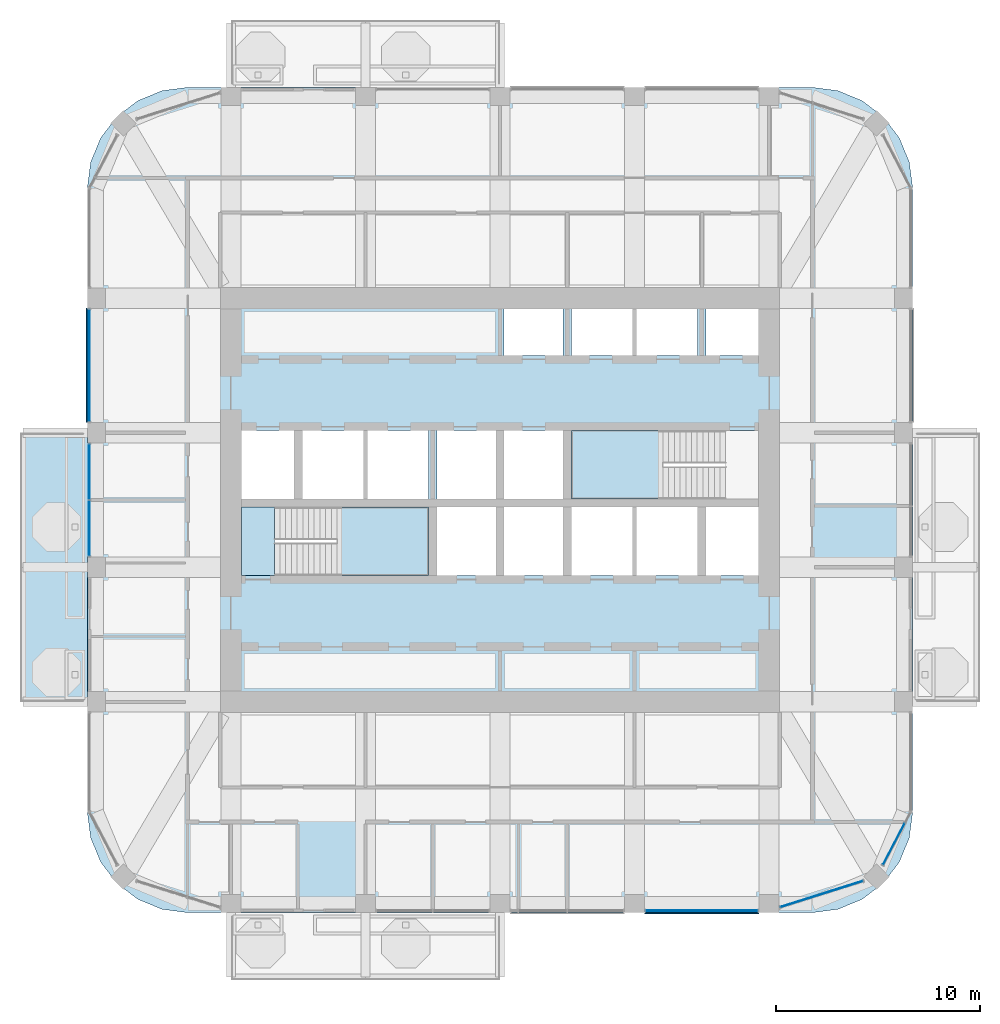
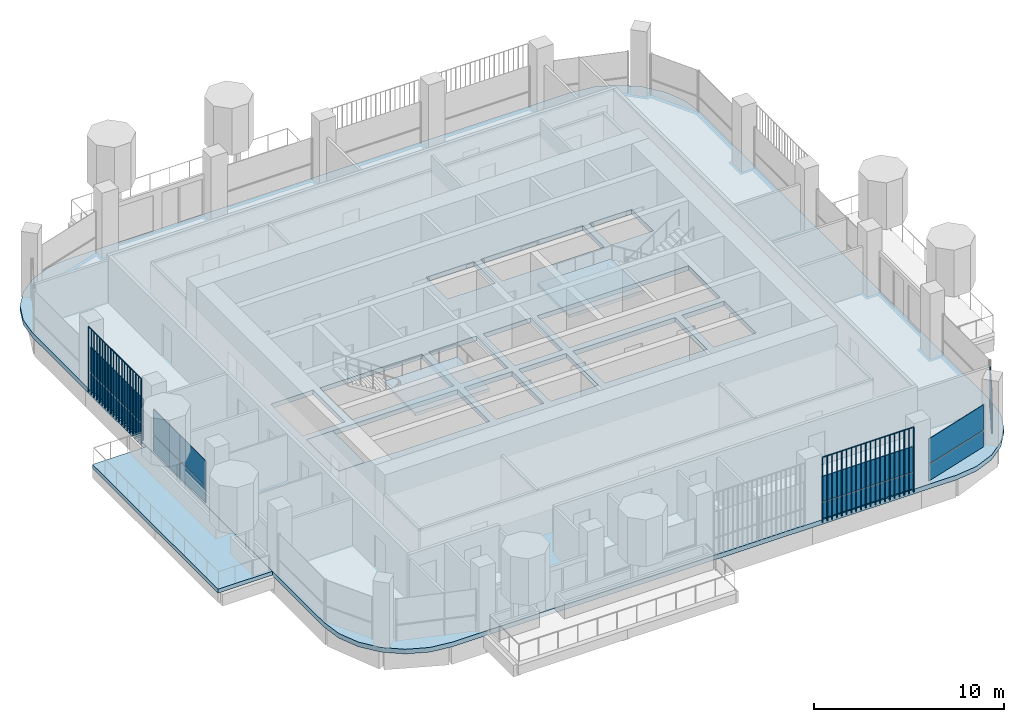
# One storey, part 9 of 19: 14 plates, 5 slabs, 7 elements without a shape of their own.
"""IFC4 building model written with IfcOpenShell, lengths in metres."""

from ifc_helpers import new_model, si_unit, direction, frame, origin, origin_2d, place, context, subcontext, project, spatial, polyline, rectangle, outline, extrude, material, layer, layer_set, type_object, element, aggregate, save


model = new_model("IFC4")

# Units and contexts
model_context = context("Model", 3, precision=1e-05, world=origin(), true_north=direction((0.0, 1.0)))
body_context = subcontext(model_context, "Body", "Model", "MODEL_VIEW")
ifc_project = project(units=[si_unit("LENGTHUNIT", "METRE"), si_unit("AREAUNIT", "SQUARE_METRE"), si_unit("VOLUMEUNIT", "CUBIC_METRE"), si_unit("PLANEANGLEUNIT", "RADIAN"), si_unit("MASSUNIT", "GRAM", prefix="KILO")], contexts=[model_context])

# Site, building, storey
site_placement = place(None, origin())
site = spatial("IfcSite", under=ifc_project, at=site_placement, CompositionType="ELEMENT")
building_placement = place(site_placement, origin())
building = spatial("IfcBuilding", under=site, at=building_placement, Name="Cobogo Forest Laboratory Tower", CompositionType="ELEMENT")
storey_placement = place(building_placement, frame((0.0, 0.0, 262.800048828125)))
storey = spatial("IfcBuildingStorey", under=building, at=storey_placement, Name="L60", CompositionType="ELEMENT", Elevation=262.800048828125)

# Slabs
ifc_material_1 = material(Name="Concrete HA-40 (C40/50)", Category="concrete")
ifc_layer_1 = layer(ifc_material_1, 0.25)
ifc_layer_set_1 = layer_set([ifc_layer_1], Name="Balcony slab 250")
slab_type_1 = type_object("IfcSlabType", Name="Balcony slab 250", PredefinedType="FLOOR", material=ifc_layer_set_1)
slab_1_placement = place(storey_placement, frame((0.0, 0.0, -0.25)))
element("IfcSlab", 1, at=slab_1_placement, inside=storey, type_object=slab_type_1, Name="Balcony BAL-W1 L60", PredefinedType="FLOOR", context=body_context, shape_type="SweptSolid", body=[
    extrude(outline(polyline([(2.85009765625, 13.199951171875), (6.14990234375, 13.199951171875), (6.14990234375, 26.39990234375), (2.85009765625, 26.39990234375), (2.85009765625, 13.199951171875)])), origin(), (0.0, 0.0, 1.0), 0.25),
])
ifc_layer_2 = layer(ifc_material_1, 0.300048828125)
ifc_layer_set_2 = layer_set([ifc_layer_2], Name="Floor slab 300")
slab_type_2 = type_object("IfcSlabType", Name="Floor slab 300", PredefinedType="FLOOR", material=ifc_layer_set_2)
slab_2_placement = place(storey_placement, frame((0.0, 0.0, -0.300048828125)))
element("IfcSlab", 2, at=slab_2_placement, inside=storey, type_object=slab_type_2, Name="L60 floor slab", PredefinedType="FLOOR", context=body_context, shape_type="SweptSolid", body=[
    extrude(outline(polyline([(41.699951171875, 2.85009765625), (42.981201171875, 3.0185546875), (44.175048828125, 3.51318359375), (45.2001953125, 4.2998046875), (45.98681640625, 5.324951171875), (46.4814453125, 6.518798828125), (46.64990234375, 7.800048828125), (46.64990234375, 38.39990234375), (46.4814453125, 39.68115234375), (45.98681640625, 40.875), (45.2001953125, 41.900146484375), (44.175048828125, 42.686767578125), (42.981201171875, 43.181396484375), (41.699951171875, 43.35009765625), (11.10009765625, 43.35009765625), (9.81884765625, 43.181396484375), (8.625, 42.686767578125), (7.599853515625, 41.900146484375), (6.813232421875, 40.875), (6.318603515625, 39.68115234375), (6.14990234375, 38.39990234375), (6.14990234375, 7.800048828125), (6.318603515625, 6.518798828125), (6.813232421875, 5.324951171875), (7.599853515625, 4.2998046875), (8.625, 3.51318359375), (9.81884765625, 3.0185546875), (11.10009765625, 2.85009765625), (41.699951171875, 2.85009765625)]), holes=[polyline([(22.89990234375, 19.39990234375), (13.72509765625, 19.39990234375), (13.72509765625, 22.75), (22.89990234375, 22.75), (22.89990234375, 19.39990234375)]), polyline([(26.199951171875, 19.39990234375), (23.300048828125, 19.39990234375), (23.300048828125, 22.75), (26.199951171875, 22.75), (26.199951171875, 19.39990234375)]), polyline([(29.5, 19.39990234375), (26.60009765625, 19.39990234375), (26.60009765625, 22.75), (29.5, 22.75), (29.5, 19.39990234375)]), polyline([(36.10009765625, 22.75), (36.10009765625, 19.39990234375), (29.89990234375, 19.39990234375), (29.89990234375, 22.75), (36.10009765625, 22.75)]), polyline([(39.074951171875, 19.39990234375), (36.5, 19.39990234375), (36.5, 22.75), (39.074951171875, 22.75), (39.074951171875, 19.39990234375)]), polyline([(16.300048828125, 23.14990234375), (13.72509765625, 23.14990234375), (13.72509765625, 26.5), (16.300048828125, 26.5), (16.300048828125, 23.14990234375)]), polyline([(22.89990234375, 26.5), (22.89990234375, 23.14990234375), (16.699951171875, 23.14990234375), (16.699951171875, 26.5), (22.89990234375, 26.5)]), polyline([(26.199951171875, 23.14990234375), (23.300048828125, 23.14990234375), (23.300048828125, 26.5), (26.199951171875, 26.5), (26.199951171875, 23.14990234375)]), polyline([(29.5, 23.14990234375), (26.60009765625, 23.14990234375), (26.60009765625, 26.5), (29.5, 26.5), (29.5, 23.14990234375)]), polyline([(39.074951171875, 23.14990234375), (29.89990234375, 23.14990234375), (29.89990234375, 26.5), (39.074951171875, 26.5), (39.074951171875, 23.14990234375)]), polyline([(29.5, 30.199951171875), (26.60009765625, 30.199951171875), (26.60009765625, 32.47509765625), (29.5, 32.47509765625), (29.5, 30.199951171875)]), polyline([(36.10009765625, 32.47509765625), (36.10009765625, 30.199951171875), (29.89990234375, 30.199951171875), (29.89990234375, 32.47509765625), (36.10009765625, 32.47509765625)]), polyline([(39.074951171875, 30.199951171875), (36.5, 30.199951171875), (36.5, 32.47509765625), (39.074951171875, 32.47509765625), (39.074951171875, 30.199951171875)])]), origin(), (0.0, 0.0, 1.0), 0.300048828125),
])

# Curtain wall, plates
ifc_material_2 = material(Name="Aluminium curtain wall", Category="aluminium")
curtain_wall_type = type_object("IfcCurtainWallType", Name="CW-2 unitised curtain wall, solar control glazing, laboratory floors zones C and D", PredefinedType="USERDEFINED", material=ifc_material_2)
curtain_wall_1_placement = place(storey_placement, origin())
curtain_wall_1 = element("IfcCurtainWall", 3, at=curtain_wall_1_placement, inside=storey, type_object=curtain_wall_type, Name="Curtain wall 04 L60", ObjectType="UNITISED CURTAIN WALL", PredefinedType="USERDEFINED")
ifc_material_3 = material(Name="Solar control insulated glass", Category="glass")
ifc_layer_3 = layer(ifc_material_3, 0.031982421875)
ifc_layer_set_3 = layer_set([ifc_layer_3], Name="GP-2 solar control glass unit 32")
plate_type_1 = type_object("IfcPlateType", Name="GP-2 solar control glass unit 32", PredefinedType="CURTAIN_PANEL", material=ifc_layer_set_3)
plate_1_placement = place(storey_placement, frame((36.300048828125, 2.949951171875, 0.0), z_axis=(0.0, 0.0, 1.0), x_axis=(1.0, 0.0, 0.0)))
plate_1 = element("IfcPlate", 4, at=plate_1_placement, type_object=plate_type_1, Name="CW-2 panel 1.1", PredefinedType="CURTAIN_PANEL", context=body_context, shape_type="SweptSolid", body=[
    extrude(rectangle(XDim=5.47998046875, YDim=0.031982421875, at=origin_2d()), origin(), (0.0, 0.0, 1.0), 1.02001953125),
])
plate_2_placement = place(storey_placement, frame((36.300048828125, 2.949951171875, 1.079833984375), z_axis=(0.0, 0.0, 1.0), x_axis=(1.0, 0.0, 0.0)))
plate_2 = element("IfcPlate", 5, at=plate_2_placement, type_object=plate_type_1, Name="CW-2 panel 1.2", PredefinedType="CURTAIN_PANEL", context=body_context, shape_type="SweptSolid", body=[
    extrude(rectangle(XDim=5.47998046875, YDim=0.031982421875, at=origin_2d()), origin(), (0.0, 0.0, 1.0), 1.6201171875),
])
aggregate(curtain_wall_1, [plate_1, plate_2])

curtain_wall_2_placement = place(storey_placement, origin())
curtain_wall_2 = element("IfcCurtainWall", 6, at=curtain_wall_2_placement, inside=storey, type_object=curtain_wall_type, Name="Curtain wall 05 L60", ObjectType="UNITISED CURTAIN WALL", PredefinedType="USERDEFINED")
plate_3_placement = place(storey_placement, frame((42.17919921875, 3.7646484375, 0.0), z_axis=(0.0, 0.0, 1.0), x_axis=(0.953581379409, 0.301135439371, 0.0)))
plate_3 = element("IfcPlate", 7, at=plate_3_placement, type_object=plate_type_1, Name="CW-2 panel 1.1", PredefinedType="CURTAIN_PANEL", context=body_context, shape_type="SweptSolid", body=[
    extrude(rectangle(XDim=4.240966796875, YDim=0.031982421875, at=origin_2d()), origin(), (0.0, 0.0, 1.0), 1.02001953125),
])
plate_4_placement = place(storey_placement, frame((42.17919921875, 3.7646484375, 1.079833984375), z_axis=(0.0, 0.0, 1.0), x_axis=(0.953581379409, 0.301135439371, 0.0)))
plate_4 = element("IfcPlate", 8, at=plate_4_placement, type_object=plate_type_1, Name="CW-2 panel 1.2", PredefinedType="CURTAIN_PANEL", context=body_context, shape_type="SweptSolid", body=[
    extrude(rectangle(XDim=4.240966796875, YDim=0.031982421875, at=origin_2d()), origin(), (0.0, 0.0, 1.0), 1.6201171875),
])
aggregate(curtain_wall_2, [plate_3, plate_4])

curtain_wall_3_placement = place(storey_placement, origin())
curtain_wall_3 = element("IfcCurtainWall", 9, at=curtain_wall_3_placement, inside=storey, type_object=curtain_wall_type, Name="Curtain wall 06 L60", ObjectType="UNITISED CURTAIN WALL", PredefinedType="USERDEFINED")
plate_5_placement = place(storey_placement, frame((45.72314453125, 6.222900390625, 0.0), z_axis=(0.0, 0.0, 1.0), x_axis=(0.464283778337, 0.885686498245, 0.0)))
plate_5 = element("IfcPlate", 10, at=plate_5_placement, type_object=plate_type_1, Name="CW-2 panel 1.1", PredefinedType="CURTAIN_PANEL", context=body_context, shape_type="SweptSolid", body=[
    extrude(rectangle(XDim=2.28857421875, YDim=0.031982421875, at=origin_2d()), origin(), (0.0, 0.0, 1.0), 1.02001953125),
])
plate_6_placement = place(storey_placement, frame((45.72314453125, 6.222900390625, 1.079833984375), z_axis=(0.0, 0.0, 1.0), x_axis=(0.464283778337, 0.885686498245, 0.0)))
plate_6 = element("IfcPlate", 11, at=plate_6_placement, type_object=plate_type_1, Name="CW-2 panel 1.2", PredefinedType="CURTAIN_PANEL", context=body_context, shape_type="SweptSolid", body=[
    extrude(rectangle(XDim=2.28857421875, YDim=0.031982421875, at=origin_2d()), origin(), (0.0, 0.0, 1.0), 1.6201171875),
])
aggregate(curtain_wall_3, [plate_5, plate_6])

curtain_wall_4_placement = place(storey_placement, origin())
curtain_wall_4 = element("IfcCurtainWall", 12, at=curtain_wall_4_placement, inside=storey, type_object=curtain_wall_type, Name="Curtain wall 21 L60", ObjectType="UNITISED CURTAIN WALL", PredefinedType="USERDEFINED")
plate_7_placement = place(storey_placement, frame((6.25, 29.699951171875, 0.0), z_axis=(0.0, 0.0, 1.0), x_axis=(0.0, -1.0, 0.0)))
plate_7 = element("IfcPlate", 13, at=plate_7_placement, type_object=plate_type_1, Name="CW-2 panel 1.1", PredefinedType="CURTAIN_PANEL", context=body_context, shape_type="SweptSolid", body=[
    extrude(rectangle(XDim=5.47998046875, YDim=0.031982421875, at=origin_2d()), origin(), (0.0, 0.0, 1.0), 1.02001953125),
])
plate_8_placement = place(storey_placement, frame((6.25, 29.699951171875, 1.079833984375), z_axis=(0.0, 0.0, 1.0), x_axis=(0.0, -1.0, 0.0)))
plate_8 = element("IfcPlate", 14, at=plate_8_placement, type_object=plate_type_1, Name="CW-2 panel 1.2", PredefinedType="CURTAIN_PANEL", context=body_context, shape_type="SweptSolid", body=[
    extrude(rectangle(XDim=5.47998046875, YDim=0.031982421875, at=origin_2d()), origin(), (0.0, 0.0, 1.0), 1.6201171875),
])
aggregate(curtain_wall_4, [plate_7, plate_8])

curtain_wall_5_placement = place(storey_placement, origin())
curtain_wall_5 = element("IfcCurtainWall", 15, at=curtain_wall_5_placement, inside=storey, type_object=curtain_wall_type, Name="Curtain wall 22 L60", ObjectType="UNITISED CURTAIN WALL", PredefinedType="USERDEFINED")
plate_9_placement = place(storey_placement, frame((6.25, 24.485107421875, 0.0), z_axis=(0.0, 0.0, 1.0), x_axis=(0.0, -1.0, 0.0)))
plate_9 = element("IfcPlate", 16, at=plate_9_placement, type_object=plate_type_1, Name="CW-2 panel 1.1", PredefinedType="CURTAIN_PANEL", context=body_context, shape_type="SweptSolid", body=[
    extrude(rectangle(XDim=2.7099609375, YDim=0.031982421875, at=origin_2d()), origin(), (0.0, 0.0, 1.0), 1.02001953125),
])
plate_10_placement = place(storey_placement, frame((6.25, 24.485107421875, 1.079833984375), z_axis=(0.0, 0.0, 1.0), x_axis=(0.0, -1.0, 0.0)))
plate_10 = element("IfcPlate", 17, at=plate_10_placement, type_object=plate_type_1, Name="CW-2 panel 1.2", PredefinedType="CURTAIN_PANEL", context=body_context, shape_type="SweptSolid", body=[
    extrude(rectangle(XDim=2.7099609375, YDim=0.031982421875, at=origin_2d()), origin(), (0.0, 0.0, 1.0), 1.6201171875),
])
plate_11_placement = place(storey_placement, frame((6.25, 21.715087890625, 0.0), z_axis=(0.0, 0.0, 1.0), x_axis=(0.0, -1.0, 0.0)))
plate_11 = element("IfcPlate", 18, at=plate_11_placement, type_object=plate_type_1, Name="CW-2 panel 2.1", PredefinedType="CURTAIN_PANEL", context=body_context, shape_type="SweptSolid", body=[
    extrude(rectangle(XDim=2.7099609375, YDim=0.031982421875, at=origin_2d()), origin(), (0.0, 0.0, 1.0), 1.02001953125),
])
plate_12_placement = place(storey_placement, frame((6.25, 21.715087890625, 1.079833984375), z_axis=(0.0, 0.0, 1.0), x_axis=(0.0, -1.0, 0.0)))
plate_12 = element("IfcPlate", 19, at=plate_12_placement, type_object=plate_type_1, Name="CW-2 panel 2.2", PredefinedType="CURTAIN_PANEL", context=body_context, shape_type="SweptSolid", body=[
    extrude(rectangle(XDim=2.7099609375, YDim=0.031982421875, at=origin_2d()), origin(), (0.0, 0.0, 1.0), 1.6201171875),
])
aggregate(curtain_wall_5, [plate_9, plate_10, plate_11, plate_12])

# Stair, slabs
ifc_material_4 = material(Name="Precast concrete HA-40 (C40/50)", Category="concrete")
stair_type = type_object("IfcStairType", Name="ST24 exit stair 24 risers", PredefinedType="HALF_TURN_STAIR", material=ifc_material_4)
stair_1_placement = place(storey_placement, origin())
stair_1 = element("IfcStair", 20, at=stair_1_placement, inside=storey, type_object=stair_type, Name="Stair 1 L60 to L61", PredefinedType="HALF_TURN_STAIR")
ifc_layer_4 = layer(ifc_material_1, 0.199951171875)
ifc_layer_set_4 = layer_set([ifc_layer_4], Name="SL stair landing 200")
slab_type_3 = type_object("IfcSlabType", Name="SL stair landing 200", PredefinedType="LANDING", material=ifc_layer_set_4)
slab_3_placement = place(storey_placement, frame((0.0, 0.0, -0.199951171875)))
slab_3 = element("IfcSlab", 21, at=slab_3_placement, type_object=slab_type_3, Name="ST1 landing 1", PredefinedType="LANDING", context=body_context, shape_type="SweptSolid", body=[
    extrude(outline(polyline([(13.72509765625, 19.39990234375), (15.326904296875, 19.39990234375), (15.326904296875, 22.75), (13.72509765625, 22.75), (13.72509765625, 19.39990234375)])), origin(), (0.0, 0.0, 1.0), 0.199951171875),
])
slab_4_placement = place(storey_placement, frame((0.0, 0.0, 1.89990234375)))
slab_4 = element("IfcSlab", 22, at=slab_4_placement, type_object=slab_type_3, Name="ST1 landing 2", PredefinedType="LANDING", context=body_context, shape_type="SweptSolid", body=[
    extrude(outline(polyline([(18.403076171875, 19.39990234375), (22.89990234375, 19.39990234375), (22.89990234375, 22.75), (18.403076171875, 22.75), (18.403076171875, 19.39990234375)])), origin(), (0.0, 0.0, 1.0), 0.199951171875),
])
aggregate(stair_1, [slab_3, slab_4])

# Stair, slab
stair_2_placement = place(storey_placement, origin())
stair_2 = element("IfcStair", 23, at=stair_2_placement, inside=storey, type_object=stair_type, Name="Stair 2 L60 to L61", PredefinedType="HALF_TURN_STAIR")
slab_5_placement = place(storey_placement, frame((0.0, 0.0, 1.89990234375)))
slab_5 = element("IfcSlab", 24, at=slab_5_placement, type_object=slab_type_3, Name="ST2 landing 2", PredefinedType="LANDING", context=body_context, shape_type="SweptSolid", body=[
    extrude(outline(polyline([(29.89990234375, 23.14990234375), (34.39697265625, 23.14990234375), (34.39697265625, 26.5), (29.89990234375, 26.5), (29.89990234375, 23.14990234375)])), origin(), (0.0, 0.0, 1.0), 0.199951171875),
])
aggregate(stair_2, [slab_5])

# Plates
ifc_material_5 = material(Name="Terracotta", Category="masonry")
plate_type_2 = type_object("IfcPlateType", Name="TB1 terracotta baguette screen", PredefinedType="USERDEFINED", material=ifc_material_5)
plate_13_placement = place(storey_placement, frame((33.53125, 2.822021484375, -0.150146484375)))
element("IfcPlate", 25, at=plate_13_placement, inside=storey, type_object=plate_type_2, Name="Baguette screen S4 L60", ObjectType="BAGUETTE SCREEN", PredefinedType="USERDEFINED", context=body_context, shape_type="SweptSolid", body=[
    extrude(outline(polyline([(0.02880859375, 0.011962890625), (0.011962890625, 0.02880859375), (-0.011962890625, 0.02880859375), (-0.02880859375, 0.011962890625), (-0.02880859375, -0.011962890625), (-0.011962890625, -0.02880859375), (0.011962890625, -0.02880859375), (0.02880859375, -0.011962890625), (0.02880859375, 0.011962890625)])), frame((0.0, 0.0, 4.168701171875), z_axis=(1.0, 0.0, 0.0), x_axis=(0.0, 1.0, 0.0)), (0.0, 0.0, 1.0), 5.53759765625),
    extrude(outline(polyline([(0.02880859375, 0.011962890625), (0.011962890625, 0.02880859375), (-0.011962890625, 0.02880859375), (-0.02880859375, 0.011962890625), (-0.02880859375, -0.011962890625), (-0.011962890625, -0.02880859375), (0.011962890625, -0.02880859375), (0.02880859375, -0.011962890625), (0.02880859375, 0.011962890625)])), origin(), (0.0, 0.0, 1.0), 4.137451171875),
    extrude(outline(polyline([(0.02880859375, 0.011962890625), (0.011962890625, 0.02880859375), (-0.011962890625, 0.02880859375), (-0.02880859375, 0.011962890625), (-0.02880859375, -0.011962890625), (-0.011962890625, -0.02880859375), (0.011962890625, -0.02880859375), (0.02880859375, -0.011962890625), (0.02880859375, 0.011962890625)])), frame((0.29150390625, 0.0, 0.0)), (0.0, 0.0, 1.0), 4.137451171875),
    extrude(outline(polyline([(0.02880859375, 0.011962890625), (0.011962890625, 0.02880859375), (-0.011962890625, 0.02880859375), (-0.02880859375, 0.011962890625), (-0.02880859375, -0.011962890625), (-0.011962890625, -0.02880859375), (0.011962890625, -0.02880859375), (0.02880859375, -0.011962890625), (0.02880859375, 0.011962890625)])), frame((0.5830078125, 0.0, 0.0)), (0.0, 0.0, 1.0), 4.137451171875),
    extrude(outline(polyline([(0.02880859375, 0.011962890625), (0.011962890625, 0.02880859375), (-0.011962890625, 0.02880859375), (-0.02880859375, 0.011962890625), (-0.02880859375, -0.011962890625), (-0.011962890625, -0.02880859375), (0.011962890625, -0.02880859375), (0.02880859375, -0.011962890625), (0.02880859375, 0.011962890625)])), frame((0.874267578125, 0.0, 0.0)), (0.0, 0.0, 1.0), 4.137451171875),
    extrude(outline(polyline([(0.02880859375, 0.011962890625), (0.011962890625, 0.02880859375), (-0.011962890625, 0.02880859375), (-0.02880859375, 0.011962890625), (-0.02880859375, -0.011962890625), (-0.011962890625, -0.02880859375), (0.011962890625, -0.02880859375), (0.02880859375, -0.011962890625), (0.02880859375, 0.011962890625)])), frame((1.165771484375, 0.0, 0.0)), (0.0, 0.0, 1.0), 4.137451171875),
    extrude(outline(polyline([(0.02880859375, 0.011962890625), (0.011962890625, 0.02880859375), (-0.011962890625, 0.02880859375), (-0.02880859375, 0.011962890625), (-0.02880859375, -0.011962890625), (-0.011962890625, -0.02880859375), (0.011962890625, -0.02880859375), (0.02880859375, -0.011962890625), (0.02880859375, 0.011962890625)])), frame((1.457275390625, 0.0, 0.0)), (0.0, 0.0, 1.0), 4.137451171875),
    extrude(outline(polyline([(0.02880859375, 0.011962890625), (0.011962890625, 0.02880859375), (-0.011962890625, 0.02880859375), (-0.02880859375, 0.011962890625), (-0.02880859375, -0.011962890625), (-0.011962890625, -0.02880859375), (0.011962890625, -0.02880859375), (0.02880859375, -0.011962890625), (0.02880859375, 0.011962890625)])), frame((1.748779296875, 0.0, 0.0)), (0.0, 0.0, 1.0), 4.137451171875),
    extrude(outline(polyline([(0.02880859375, 0.011962890625), (0.011962890625, 0.02880859375), (-0.011962890625, 0.02880859375), (-0.02880859375, 0.011962890625), (-0.02880859375, -0.011962890625), (-0.011962890625, -0.02880859375), (0.011962890625, -0.02880859375), (0.02880859375, -0.011962890625), (0.02880859375, 0.011962890625)])), frame((2.040283203125, 0.0, 0.0)), (0.0, 0.0, 1.0), 4.137451171875),
    extrude(outline(polyline([(0.02880859375, 0.011962890625), (0.011962890625, 0.02880859375), (-0.011962890625, 0.02880859375), (-0.02880859375, 0.011962890625), (-0.02880859375, -0.011962890625), (-0.011962890625, -0.02880859375), (0.011962890625, -0.02880859375), (0.02880859375, -0.011962890625), (0.02880859375, 0.011962890625)])), frame((2.33154296875, 0.0, 0.0)), (0.0, 0.0, 1.0), 4.137451171875),
    extrude(outline(polyline([(0.02880859375, 0.011962890625), (0.011962890625, 0.02880859375), (-0.011962890625, 0.02880859375), (-0.02880859375, 0.011962890625), (-0.02880859375, -0.011962890625), (-0.011962890625, -0.02880859375), (0.011962890625, -0.02880859375), (0.02880859375, -0.011962890625), (0.02880859375, 0.011962890625)])), frame((2.623046875, 0.0, 0.0)), (0.0, 0.0, 1.0), 4.137451171875),
    extrude(outline(polyline([(0.02880859375, 0.011962890625), (0.011962890625, 0.02880859375), (-0.011962890625, 0.02880859375), (-0.02880859375, 0.011962890625), (-0.02880859375, -0.011962890625), (-0.011962890625, -0.02880859375), (0.011962890625, -0.02880859375), (0.02880859375, -0.011962890625), (0.02880859375, 0.011962890625)])), frame((2.91455078125, 0.0, 0.0)), (0.0, 0.0, 1.0), 4.137451171875),
    extrude(outline(polyline([(0.02880859375, 0.011962890625), (0.011962890625, 0.02880859375), (-0.011962890625, 0.02880859375), (-0.02880859375, 0.011962890625), (-0.02880859375, -0.011962890625), (-0.011962890625, -0.02880859375), (0.011962890625, -0.02880859375), (0.02880859375, -0.011962890625), (0.02880859375, 0.011962890625)])), frame((3.2060546875, 0.0, 0.0)), (0.0, 0.0, 1.0), 4.137451171875),
    extrude(outline(polyline([(0.02880859375, 0.011962890625), (0.011962890625, 0.02880859375), (-0.011962890625, 0.02880859375), (-0.02880859375, 0.011962890625), (-0.02880859375, -0.011962890625), (-0.011962890625, -0.02880859375), (0.011962890625, -0.02880859375), (0.02880859375, -0.011962890625), (0.02880859375, 0.011962890625)])), frame((3.497314453125, 0.0, 0.0)), (0.0, 0.0, 1.0), 4.137451171875),
    extrude(outline(polyline([(0.02880859375, 0.011962890625), (0.011962890625, 0.02880859375), (-0.011962890625, 0.02880859375), (-0.02880859375, 0.011962890625), (-0.02880859375, -0.011962890625), (-0.011962890625, -0.02880859375), (0.011962890625, -0.02880859375), (0.02880859375, -0.011962890625), (0.02880859375, 0.011962890625)])), frame((3.788818359375, 0.0, 0.0)), (0.0, 0.0, 1.0), 4.137451171875),
    extrude(outline(polyline([(0.02880859375, 0.011962890625), (0.011962890625, 0.02880859375), (-0.011962890625, 0.02880859375), (-0.02880859375, 0.011962890625), (-0.02880859375, -0.011962890625), (-0.011962890625, -0.02880859375), (0.011962890625, -0.02880859375), (0.02880859375, -0.011962890625), (0.02880859375, 0.011962890625)])), frame((4.080322265625, 0.0, 0.0)), (0.0, 0.0, 1.0), 4.137451171875),
    extrude(outline(polyline([(0.02880859375, 0.011962890625), (0.011962890625, 0.02880859375), (-0.011962890625, 0.02880859375), (-0.02880859375, 0.011962890625), (-0.02880859375, -0.011962890625), (-0.011962890625, -0.02880859375), (0.011962890625, -0.02880859375), (0.02880859375, -0.011962890625), (0.02880859375, 0.011962890625)])), frame((4.371826171875, 0.0, 0.0)), (0.0, 0.0, 1.0), 4.137451171875),
    extrude(outline(polyline([(0.02880859375, 0.011962890625), (0.011962890625, 0.02880859375), (-0.011962890625, 0.02880859375), (-0.02880859375, 0.011962890625), (-0.02880859375, -0.011962890625), (-0.011962890625, -0.02880859375), (0.011962890625, -0.02880859375), (0.02880859375, -0.011962890625), (0.02880859375, 0.011962890625)])), frame((4.663330078125, 0.0, 0.0)), (0.0, 0.0, 1.0), 4.137451171875),
    extrude(outline(polyline([(0.02880859375, 0.011962890625), (0.011962890625, 0.02880859375), (-0.011962890625, 0.02880859375), (-0.02880859375, 0.011962890625), (-0.02880859375, -0.011962890625), (-0.011962890625, -0.02880859375), (0.011962890625, -0.02880859375), (0.02880859375, -0.011962890625), (0.02880859375, 0.011962890625)])), frame((4.95458984375, 0.0, 0.0)), (0.0, 0.0, 1.0), 4.137451171875),
    extrude(outline(polyline([(0.02880859375, 0.011962890625), (0.011962890625, 0.02880859375), (-0.011962890625, 0.02880859375), (-0.02880859375, 0.011962890625), (-0.02880859375, -0.011962890625), (-0.011962890625, -0.02880859375), (0.011962890625, -0.02880859375), (0.02880859375, -0.011962890625), (0.02880859375, 0.011962890625)])), frame((5.24609375, 0.0, 0.0)), (0.0, 0.0, 1.0), 4.137451171875),
    extrude(outline(polyline([(0.02880859375, 0.011962890625), (0.011962890625, 0.02880859375), (-0.011962890625, 0.02880859375), (-0.02880859375, 0.011962890625), (-0.02880859375, -0.011962890625), (-0.011962890625, -0.02880859375), (0.011962890625, -0.02880859375), (0.02880859375, -0.011962890625), (0.02880859375, 0.011962890625)])), frame((5.53759765625, 0.0, 0.0)), (0.0, 0.0, 1.0), 4.137451171875),
])
plate_14_placement = place(storey_placement, frame((6.1220703125, 26.93115234375, -0.150146484375)))
element("IfcPlate", 26, at=plate_14_placement, inside=storey, type_object=plate_type_2, Name="Baguette screen W3 L60", ObjectType="BAGUETTE SCREEN", PredefinedType="USERDEFINED", context=body_context, shape_type="SweptSolid", body=[
    extrude(outline(polyline([(0.02880859375, 0.011962890625), (0.011962890625, 0.02880859375), (-0.011962890625, 0.02880859375), (-0.02880859375, 0.011962890625), (-0.02880859375, -0.011962890625), (-0.011962890625, -0.02880859375), (0.011962890625, -0.02880859375), (0.02880859375, -0.011962890625), (0.02880859375, 0.011962890625)])), frame((0.0, 0.0, 4.168701171875), z_axis=(0.0, 1.0, 0.0), x_axis=(-1.0, 0.0, 0.0)), (0.0, 0.0, 1.0), 5.53759765625),
    extrude(outline(polyline([(0.02880859375, 0.011962890625), (0.011962890625, 0.02880859375), (-0.011962890625, 0.02880859375), (-0.02880859375, 0.011962890625), (-0.02880859375, -0.011962890625), (-0.011962890625, -0.02880859375), (0.011962890625, -0.02880859375), (0.02880859375, -0.011962890625), (0.02880859375, 0.011962890625)])), origin(), (0.0, 0.0, 1.0), 4.137451171875),
    extrude(outline(polyline([(0.02880859375, 0.011962890625), (0.011962890625, 0.02880859375), (-0.011962890625, 0.02880859375), (-0.02880859375, 0.011962890625), (-0.02880859375, -0.011962890625), (-0.011962890625, -0.02880859375), (0.011962890625, -0.02880859375), (0.02880859375, -0.011962890625), (0.02880859375, 0.011962890625)])), frame((0.0, 0.29150390625, 0.0)), (0.0, 0.0, 1.0), 4.137451171875),
    extrude(outline(polyline([(0.02880859375, 0.011962890625), (0.011962890625, 0.02880859375), (-0.011962890625, 0.02880859375), (-0.02880859375, 0.011962890625), (-0.02880859375, -0.011962890625), (-0.011962890625, -0.02880859375), (0.011962890625, -0.02880859375), (0.02880859375, -0.011962890625), (0.02880859375, 0.011962890625)])), frame((0.0, 0.5830078125, 0.0)), (0.0, 0.0, 1.0), 4.137451171875),
    extrude(outline(polyline([(0.02880859375, 0.011962890625), (0.011962890625, 0.02880859375), (-0.011962890625, 0.02880859375), (-0.02880859375, 0.011962890625), (-0.02880859375, -0.011962890625), (-0.011962890625, -0.02880859375), (0.011962890625, -0.02880859375), (0.02880859375, -0.011962890625), (0.02880859375, 0.011962890625)])), frame((0.0, 0.874267578125, 0.0)), (0.0, 0.0, 1.0), 4.137451171875),
    extrude(outline(polyline([(0.02880859375, 0.011962890625), (0.011962890625, 0.02880859375), (-0.011962890625, 0.02880859375), (-0.02880859375, 0.011962890625), (-0.02880859375, -0.011962890625), (-0.011962890625, -0.02880859375), (0.011962890625, -0.02880859375), (0.02880859375, -0.011962890625), (0.02880859375, 0.011962890625)])), frame((0.0, 1.165771484375, 0.0)), (0.0, 0.0, 1.0), 4.137451171875),
    extrude(outline(polyline([(0.02880859375, 0.011962890625), (0.011962890625, 0.02880859375), (-0.011962890625, 0.02880859375), (-0.02880859375, 0.011962890625), (-0.02880859375, -0.011962890625), (-0.011962890625, -0.02880859375), (0.011962890625, -0.02880859375), (0.02880859375, -0.011962890625), (0.02880859375, 0.011962890625)])), frame((0.0, 1.457275390625, 0.0)), (0.0, 0.0, 1.0), 4.137451171875),
    extrude(outline(polyline([(0.02880859375, 0.011962890625), (0.011962890625, 0.02880859375), (-0.011962890625, 0.02880859375), (-0.02880859375, 0.011962890625), (-0.02880859375, -0.011962890625), (-0.011962890625, -0.02880859375), (0.011962890625, -0.02880859375), (0.02880859375, -0.011962890625), (0.02880859375, 0.011962890625)])), frame((0.0, 1.748779296875, 0.0)), (0.0, 0.0, 1.0), 4.137451171875),
    extrude(outline(polyline([(0.02880859375, 0.011962890625), (0.011962890625, 0.02880859375), (-0.011962890625, 0.02880859375), (-0.02880859375, 0.011962890625), (-0.02880859375, -0.011962890625), (-0.011962890625, -0.02880859375), (0.011962890625, -0.02880859375), (0.02880859375, -0.011962890625), (0.02880859375, 0.011962890625)])), frame((0.0, 2.040283203125, 0.0)), (0.0, 0.0, 1.0), 4.137451171875),
    extrude(outline(polyline([(0.02880859375, 0.011962890625), (0.011962890625, 0.02880859375), (-0.011962890625, 0.02880859375), (-0.02880859375, 0.011962890625), (-0.02880859375, -0.011962890625), (-0.011962890625, -0.02880859375), (0.011962890625, -0.02880859375), (0.02880859375, -0.011962890625), (0.02880859375, 0.011962890625)])), frame((0.0, 2.33154296875, 0.0)), (0.0, 0.0, 1.0), 4.137451171875),
    extrude(outline(polyline([(0.02880859375, 0.011962890625), (0.011962890625, 0.02880859375), (-0.011962890625, 0.02880859375), (-0.02880859375, 0.011962890625), (-0.02880859375, -0.011962890625), (-0.011962890625, -0.02880859375), (0.011962890625, -0.02880859375), (0.02880859375, -0.011962890625), (0.02880859375, 0.011962890625)])), frame((0.0, 2.623046875, 0.0)), (0.0, 0.0, 1.0), 4.137451171875),
    extrude(outline(polyline([(0.02880859375, 0.011962890625), (0.011962890625, 0.02880859375), (-0.011962890625, 0.02880859375), (-0.02880859375, 0.011962890625), (-0.02880859375, -0.011962890625), (-0.011962890625, -0.02880859375), (0.011962890625, -0.02880859375), (0.02880859375, -0.011962890625), (0.02880859375, 0.011962890625)])), frame((0.0, 2.91455078125, 0.0)), (0.0, 0.0, 1.0), 4.137451171875),
    extrude(outline(polyline([(0.02880859375, 0.011962890625), (0.011962890625, 0.02880859375), (-0.011962890625, 0.02880859375), (-0.02880859375, 0.011962890625), (-0.02880859375, -0.011962890625), (-0.011962890625, -0.02880859375), (0.011962890625, -0.02880859375), (0.02880859375, -0.011962890625), (0.02880859375, 0.011962890625)])), frame((0.0, 3.2060546875, 0.0)), (0.0, 0.0, 1.0), 4.137451171875),
    extrude(outline(polyline([(0.02880859375, 0.011962890625), (0.011962890625, 0.02880859375), (-0.011962890625, 0.02880859375), (-0.02880859375, 0.011962890625), (-0.02880859375, -0.011962890625), (-0.011962890625, -0.02880859375), (0.011962890625, -0.02880859375), (0.02880859375, -0.011962890625), (0.02880859375, 0.011962890625)])), frame((0.0, 3.497314453125, 0.0)), (0.0, 0.0, 1.0), 4.137451171875),
    extrude(outline(polyline([(0.02880859375, 0.011962890625), (0.011962890625, 0.02880859375), (-0.011962890625, 0.02880859375), (-0.02880859375, 0.011962890625), (-0.02880859375, -0.011962890625), (-0.011962890625, -0.02880859375), (0.011962890625, -0.02880859375), (0.02880859375, -0.011962890625), (0.02880859375, 0.011962890625)])), frame((0.0, 3.788818359375, 0.0)), (0.0, 0.0, 1.0), 4.137451171875),
    extrude(outline(polyline([(0.02880859375, 0.011962890625), (0.011962890625, 0.02880859375), (-0.011962890625, 0.02880859375), (-0.02880859375, 0.011962890625), (-0.02880859375, -0.011962890625), (-0.011962890625, -0.02880859375), (0.011962890625, -0.02880859375), (0.02880859375, -0.011962890625), (0.02880859375, 0.011962890625)])), frame((0.0, 4.080322265625, 0.0)), (0.0, 0.0, 1.0), 4.137451171875),
    extrude(outline(polyline([(0.02880859375, 0.011962890625), (0.011962890625, 0.02880859375), (-0.011962890625, 0.02880859375), (-0.02880859375, 0.011962890625), (-0.02880859375, -0.011962890625), (-0.011962890625, -0.02880859375), (0.011962890625, -0.02880859375), (0.02880859375, -0.011962890625), (0.02880859375, 0.011962890625)])), frame((0.0, 4.371826171875, 0.0)), (0.0, 0.0, 1.0), 4.137451171875),
    extrude(outline(polyline([(0.02880859375, 0.011962890625), (0.011962890625, 0.02880859375), (-0.011962890625, 0.02880859375), (-0.02880859375, 0.011962890625), (-0.02880859375, -0.011962890625), (-0.011962890625, -0.02880859375), (0.011962890625, -0.02880859375), (0.02880859375, -0.011962890625), (0.02880859375, 0.011962890625)])), frame((0.0, 4.663330078125, 0.0)), (0.0, 0.0, 1.0), 4.137451171875),
    extrude(outline(polyline([(0.02880859375, 0.011962890625), (0.011962890625, 0.02880859375), (-0.011962890625, 0.02880859375), (-0.02880859375, 0.011962890625), (-0.02880859375, -0.011962890625), (-0.011962890625, -0.02880859375), (0.011962890625, -0.02880859375), (0.02880859375, -0.011962890625), (0.02880859375, 0.011962890625)])), frame((0.0, 4.95458984375, 0.0)), (0.0, 0.0, 1.0), 4.137451171875),
    extrude(outline(polyline([(0.02880859375, 0.011962890625), (0.011962890625, 0.02880859375), (-0.011962890625, 0.02880859375), (-0.02880859375, 0.011962890625), (-0.02880859375, -0.011962890625), (-0.011962890625, -0.02880859375), (0.011962890625, -0.02880859375), (0.02880859375, -0.011962890625), (0.02880859375, 0.011962890625)])), frame((0.0, 5.24609375, 0.0)), (0.0, 0.0, 1.0), 4.137451171875),
    extrude(outline(polyline([(0.02880859375, 0.011962890625), (0.011962890625, 0.02880859375), (-0.011962890625, 0.02880859375), (-0.02880859375, 0.011962890625), (-0.02880859375, -0.011962890625), (-0.011962890625, -0.02880859375), (0.011962890625, -0.02880859375), (0.02880859375, -0.011962890625), (0.02880859375, 0.011962890625)])), frame((0.0, 5.53759765625, 0.0)), (0.0, 0.0, 1.0), 4.137451171875),
])

save(model, "model.ifc")
